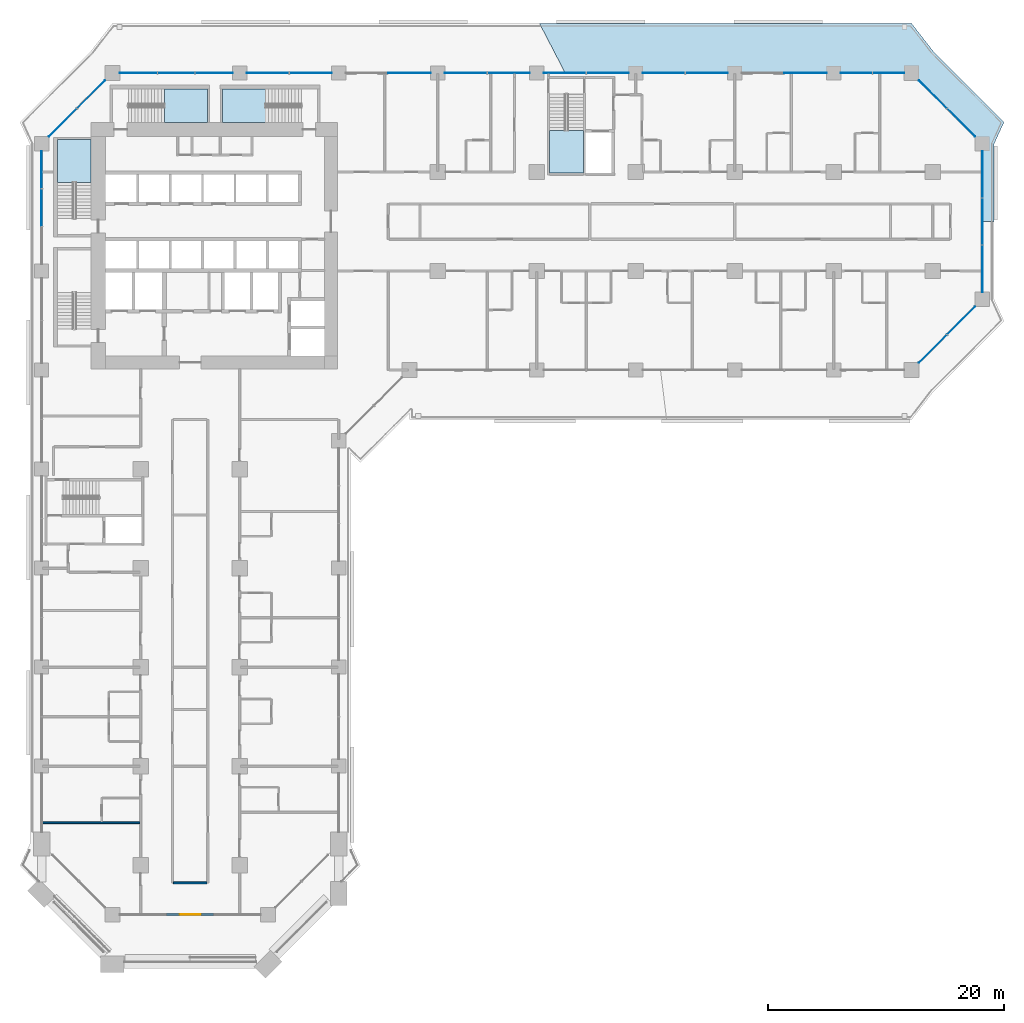
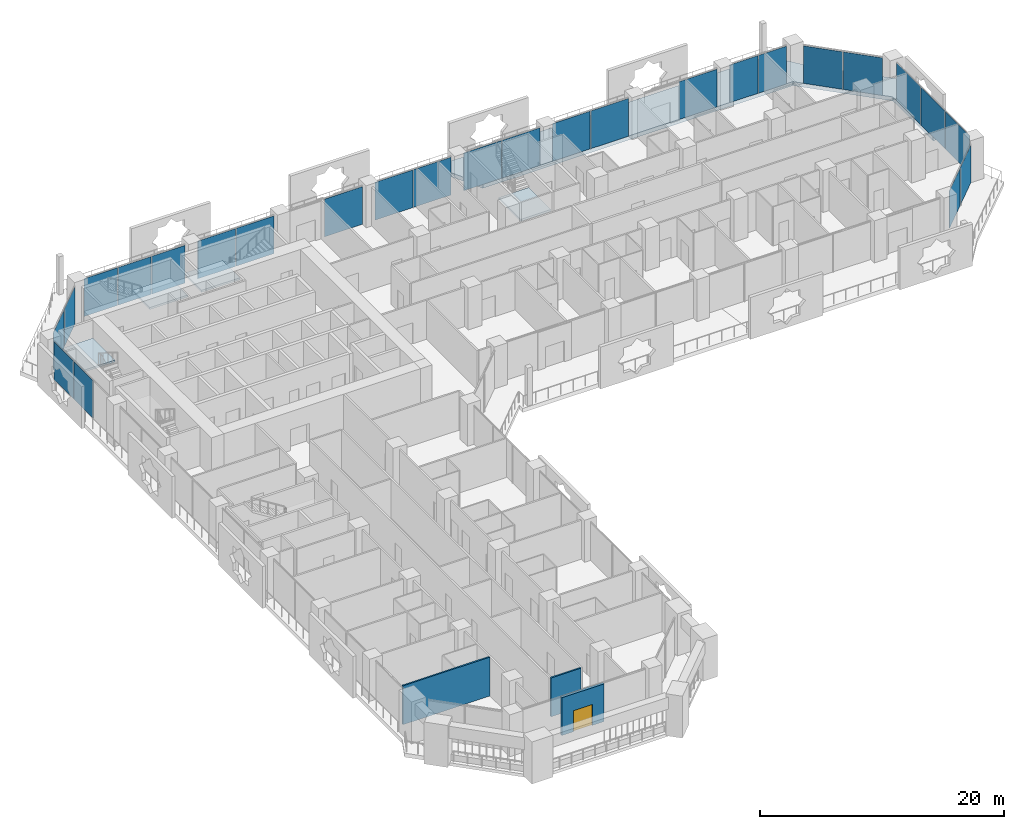
# One storey, part 12 of 26: 26 plates, 5 slabs, 3 walls, 1 door, 1 opening, 10 elements without a shape of their own.
"""IFC4 building model written with IfcOpenShell, lengths in metres."""

import ifcopenshell
import ifcopenshell.guid

model = None  # the IFC model being written
_history = None  # IfcOwnerHistory: only IFC2X3 demands one
_inside = {}  # id of a spatial element -> (the spatial element, [elements in it])
_under = {}  # id of a project, library or spatial element -> (it, [spatial elements below it])
_declared = {}  # id of a project -> (the project, [libraries it declares])
_typed = {}  # id of a type object -> (the type object, [elements of that type])
_made_of = {}  # id of a material, layer set ... -> (it, [elements and type objects made of it])


def new_model(schema):
    """Start an empty IFC model of exactly this schema.

    Asked for "IFC4X3", IfcOpenShell would pick the latest addendum, in which some entities
    have other attributes; the version numbers below select the first issue.
    IFC2X3 requires an IfcOwnerHistory on every rooted entity: one is made here for all.
    """
    global model, _history
    if schema == "IFC4X3":
        model = ifcopenshell.file(schema_version=(4, 3, 0, 0))
    else:
        model = ifcopenshell.file(schema=schema)
    _inside.clear()
    _under.clear()
    _declared.clear()
    _typed.clear()
    _made_of.clear()
    _history = None
    if model.schema == "IFC2X3":
        org = make("IfcOrganization", Name="unknown")
        user = make(
            "IfcPersonAndOrganization",
            ThePerson=make("IfcPerson", FamilyName="unknown"),
            TheOrganization=org,
        )
        app = make(
            "IfcApplication",
            ApplicationDeveloper=org,
            Version="unknown",
            ApplicationFullName="unknown",
            ApplicationIdentifier="unknown",
        )
        _history = make(
            "IfcOwnerHistory",
            OwningUser=user,
            OwningApplication=app,
            ChangeAction="ADDED",
            CreationDate=0,
        )
    return model


def make(cls, **values):
    """One entity of the class cls with the attributes given. An attribute that is None is left unset."""
    return model.create_entity(
        cls, **{name: value for name, value in values.items() if value is not None}
    )


def rooted(cls, **values):
    """An entity with a GlobalId (a new one), such as an element, a storey or a relation."""
    return make(cls, GlobalId=ifcopenshell.guid.new(), OwnerHistory=_history, **values)


def si_unit(unit_type, name, prefix=None):
    """IfcSIUnit, for example si_unit("LENGTHUNIT", "METRE", prefix="MILLI")."""
    return make("IfcSIUnit", UnitType=unit_type, Prefix=prefix, Name=name)


def assignment(units):
    """IfcUnitAssignment: the units of a project."""
    return None if units is None else make("IfcUnitAssignment", Units=units)


def point(xyz):
    """IfcCartesianPoint."""
    return None if xyz is None else make("IfcCartesianPoint", Coordinates=xyz)


def direction(xyz):
    """IfcDirection."""
    return None if xyz is None else make("IfcDirection", DirectionRatios=xyz)


def frame(location, z_axis=None, x_axis=None):
    """IfcAxis2Placement3D, a coordinate frame: its origin and axes. An axis left out is left unset."""
    return make(
        "IfcAxis2Placement3D",
        Location=point(location),
        Axis=direction(z_axis),
        RefDirection=direction(x_axis),
    )


def frame_2d(location, x_axis=None):
    """IfcAxis2Placement2D, a coordinate frame in the plane: its origin and x axis."""
    return make(
        "IfcAxis2Placement2D", Location=point(location), RefDirection=direction(x_axis)
    )


def origin():
    """The frame at (0, 0, 0) with its axes left unset."""
    return frame((0.0, 0.0, 0.0))


def origin_2d():
    """The frame at (0, 0) in the plane with its x axis left unset."""
    return frame_2d((0.0, 0.0))


def place(relative_to, where):
    """IfcLocalPlacement: puts the frame where relative to a parent placement (None: the world)."""
    return make(
        "IfcLocalPlacement", PlacementRelTo=relative_to, RelativePlacement=where
    )


def context(
    kind, dimensions, precision=None, world=None, true_north=None, identifier=None
):
    """IfcGeometricRepresentationContext, for example the 3D "Model" context."""
    return make(
        "IfcGeometricRepresentationContext",
        ContextIdentifier=identifier,
        ContextType=kind,
        CoordinateSpaceDimension=dimensions,
        Precision=precision,
        WorldCoordinateSystem=world,
        TrueNorth=true_north,
    )


def subcontext(parent, identifier, kind, view, scale=None):
    """IfcGeometricRepresentationSubContext, for example "Body" below "Model"."""
    return make(
        "IfcGeometricRepresentationSubContext",
        ContextIdentifier=identifier,
        ContextType=kind,
        ParentContext=parent,
        TargetScale=scale,
        TargetView=view,
    )


def project(units=None, contexts=None):
    """IfcProject with its units and contexts."""
    return rooted(
        "IfcProject",
        Name="project",
        RepresentationContexts=contexts,
        UnitsInContext=assignment(units),
    )


def spatial(cls, under=None, at=None, **own):
    """A site, building, storey or space (cls), placed at a placement, below another one or the project."""
    s = rooted(cls, ObjectPlacement=at, **own)
    if under is not None:
        _under.setdefault(under.id(), (under, []))[1].append(s)
    return s


def polyline(points):
    """IfcPolyline through the points."""
    return make("IfcPolyline", Points=[point(p) for p in points])


def profile(cls, at=None, kind="AREA", **sizes):
    """A parametric profile (cls). Its sizes go by their IFC names, for example OverallWidth=200.0."""
    return make(cls, ProfileType=kind, Position=at, **sizes)


def rectangle(**sizes):
    """IfcRectangleProfileDef."""
    return profile("IfcRectangleProfileDef", **sizes)


def outline(outer, holes=None, kind="AREA"):
    """IfcArbitraryClosedProfileDef: a profile drawn as a closed curve; with holes, ...WithVoids."""
    if holes is None:
        return make("IfcArbitraryClosedProfileDef", ProfileType=kind, OuterCurve=outer)
    return make(
        "IfcArbitraryProfileDefWithVoids",
        ProfileType=kind,
        OuterCurve=outer,
        InnerCurves=holes,
    )


def extrude(swept, where, along, depth):
    """IfcExtrudedAreaSolid: the profile swept, set in the frame where, extruded along a direction by depth."""
    return make(
        "IfcExtrudedAreaSolid",
        SweptArea=swept,
        Position=where,
        ExtrudedDirection=direction(along),
        Depth=depth,
    )


def shape(context_of_items, identifier, shape_type, items):
    """IfcShapeRepresentation: the items that make up one representation, for example the "Body"."""
    return make(
        "IfcShapeRepresentation",
        ContextOfItems=context_of_items,
        RepresentationIdentifier=identifier,
        RepresentationType=shape_type,
        Items=items,
    )


def material(Name=None, Category=None):
    """IfcMaterial."""
    return make("IfcMaterial", Name=Name, Category=Category)


def layer(
    of_material, thickness, ventilated=None, Name=None, Category=None, Priority=None
):
    """IfcMaterialLayer: one layer of a wall or slab, of a material (None: an air gap)."""
    return make(
        "IfcMaterialLayer",
        Material=of_material,
        LayerThickness=thickness,
        IsVentilated=ventilated,
        Name=Name,
        Category=Category,
        Priority=Priority,
    )


def layer_set(layers, Name=None):
    """IfcMaterialLayerSet."""
    return make("IfcMaterialLayerSet", MaterialLayers=layers, LayerSetName=Name)


def made_of(thing, what):
    """Note that an element or type object is made of a material, layer set ...; save() writes the relation."""
    if what is not None:
        _made_of.setdefault(what.id(), (what, []))[1].append(thing)
    return thing


def type_object(cls, material=None, **own):
    """A type object (cls), such as IfcWallType, which elements share."""
    return made_of(rooted(cls, **own), material)


def element(
    cls,
    number,
    at=None,
    inside=None,
    cuts=None,
    type_object=None,
    material=None,
    context=None,
    identifier="Body",
    shape_type=None,
    held_by="IfcProductDefinitionShape",
    body=None,
    shapes=None,
    **own,
):
    """One element of the class cls, such as IfcWall. Its Tag is "e" and its number.

    at: its placement. inside: the storey or other place that contains it. cuts: it is an
    opening in that element (IfcRelVoidsElement). A single representation is given by context,
    identifier, shape_type and body (its items); several are given by shapes. held_by: the class
    of the entity that holds the representations. save() writes the other relations.
    """
    e = rooted(cls, Tag="e%d" % number, ObjectPlacement=at, **own)
    if body is not None:
        shapes = [shape(context, identifier, shape_type, body)]
    if shapes is not None:
        e.Representation = make(held_by, Representations=shapes)
    if inside is not None:
        _inside.setdefault(inside.id(), (inside, []))[1].append(e)
    if cuts is not None:
        rooted(
            "IfcRelVoidsElement", RelatingBuildingElement=cuts, RelatedOpeningElement=e
        )
    if type_object is not None:
        _typed.setdefault(type_object.id(), (type_object, []))[1].append(e)
    return made_of(e, material)


def fill(opening, filler):
    """IfcRelFillsElement: the door or window that sits in an opening."""
    return rooted(
        "IfcRelFillsElement",
        RelatingOpeningElement=opening,
        RelatedBuildingElement=filler,
    )


def aggregate(whole, parts):
    """IfcRelAggregates: a whole, such as a stair, and the parts it consists of."""
    return rooted("IfcRelAggregates", RelatingObject=whole, RelatedObjects=parts)


def save(model, path):
    """Write the relations noted so far, then the file.

    IfcRelAggregates (storeys below a building ...), IfcRelContainedInSpatialStructure (elements
    in a storey), IfcRelDefinesByType, IfcRelAssociatesMaterial and IfcRelDeclares: one each for
    every whole, place, type object, material and project.
    """
    for whole, parts in _under.values():
        aggregate(whole, parts)
    for where, things in _inside.values():
        rooted(
            "IfcRelContainedInSpatialStructure",
            RelatedElements=things,
            RelatingStructure=where,
        )
    for kind, things in _typed.values():
        rooted("IfcRelDefinesByType", RelatedObjects=things, RelatingType=kind)
    for what, things in _made_of.values():
        rooted("IfcRelAssociatesMaterial", RelatedObjects=things, RelatingMaterial=what)
    for by, libraries in _declared.values():
        rooted("IfcRelDeclares", RelatingContext=by, RelatedDefinitions=libraries)
    model.write(path)


model = new_model("IFC4")

# Units and contexts
model_context = context("Model", 3, precision=1e-05, world=origin(), true_north=direction((0.0, 1.0)))
body_context = subcontext(model_context, "Body", "Model", "MODEL_VIEW")
ifc_project = project(units=[si_unit("LENGTHUNIT", "METRE"), si_unit("AREAUNIT", "SQUARE_METRE"), si_unit("VOLUMEUNIT", "CUBIC_METRE"), si_unit("PLANEANGLEUNIT", "RADIAN"), si_unit("MASSUNIT", "GRAM", prefix="KILO")], contexts=[model_context])

# Site, building, storey
site_placement = place(None, origin())
site = spatial("IfcSite", under=ifc_project, at=site_placement, CompositionType="ELEMENT")
building_placement = place(site_placement, origin())
building = spatial("IfcBuilding", under=site, at=building_placement, Name="Kawkab Arch Medical Tower", CompositionType="ELEMENT")
storey_placement = place(building_placement, frame((0.0, 0.0, 51.800048828125)))
storey = spatial("IfcBuildingStorey", under=building, at=storey_placement, Name="L11", CompositionType="ELEMENT", Elevation=51.800048828125)

# Curtain wall, plates
ifc_material_1 = material(Name="Bronze anodised aluminium curtain wall frame", Category="aluminium")
ifc_layer_1 = layer(ifc_material_1, 0.159912109375)
ifc_layer_set_1 = layer_set([ifc_layer_1], Name="Bronze anodised aluminium curtain wall frame")
curtain_wall_type_1 = type_object("IfcCurtainWallType", Name="CW1 ward curtain wall", PredefinedType="NOTDEFINED", material=ifc_layer_set_1)
placement_1 = place(storey_placement, origin())
curtain_wall_1 = element("IfcCurtainWall", 1, at=placement_1, inside=storey, type_object=curtain_wall_type_1, Name="CW1 Ward curtain wall R01", PredefinedType="NOTDEFINED")
ifc_material_2 = material(Name="Tinted insulating glass, bronze low-e coating", Category="glass")
ifc_layer_2 = layer(ifc_material_2, 0.031982421875)
ifc_layer_set_2 = layer_set([ifc_layer_2], Name="Tinted insulating glass, bronze low-e coating")
plate_type_1 = type_object("IfcPlateType", Name="CW1 glazing unit 32", PredefinedType="CURTAIN_PANEL", material=ifc_layer_set_2)
plate_1_placement = place(storey_placement, frame((0.0, -8.205810546875, 0.0), z_axis=(0.0, 0.0, 1.0), x_axis=(0.0, -1.0, 0.0)))
plate_1 = element("IfcPlate", 2, at=plate_1_placement, type_object=plate_type_1, Name="CW1 glazing unit 1.1", PredefinedType="CURTAIN_PANEL", context=body_context, shape_type="SweptSolid", body=[
    extrude(rectangle(XDim=3.16162109375, YDim=0.031982421875, at=origin_2d()), origin(), (0.0, 0.0, 1.0), 3.780029296875),
])
plate_2_placement = place(storey_placement, frame((0.0, -11.41259765625, 0.0), z_axis=(0.0, 0.0, 1.0), x_axis=(0.0, -1.0, 0.0)))
plate_2 = element("IfcPlate", 3, at=plate_2_placement, type_object=plate_type_1, Name="CW1 glazing unit 1.2", PredefinedType="CURTAIN_PANEL", context=body_context, shape_type="SweptSolid", body=[
    extrude(rectangle(XDim=3.131591796875, YDim=0.031982421875, at=origin_2d()), origin(), (0.0, 0.0, 1.0), 3.780029296875),
])
aggregate(curtain_wall_1, [plate_1, plate_2])

curtain_wall_2 = element("IfcCurtainWall", 4, at=placement_1, inside=storey, type_object=curtain_wall_type_1, Name="CW1 Ward curtain wall R09", PredefinedType="NOTDEFINED")
plate_3_placement = place(storey_placement, frame((79.800048828125, -16.598388671875, 0.0), z_axis=(0.0, 0.0, 1.0), x_axis=(0.0, 1.0, 0.0)))
plate_3 = element("IfcPlate", 5, at=plate_3_placement, type_object=plate_type_1, Name="CW1 glazing unit 1.1", PredefinedType="CURTAIN_PANEL", context=body_context, shape_type="SweptSolid", body=[
    extrude(rectangle(XDim=3.953369140625, YDim=0.031982421875, at=origin_2d()), origin(), (0.0, 0.0, 1.0), 3.780029296875),
])
plate_4_placement = place(storey_placement, frame((79.800048828125, -12.60009765625, 0.0), z_axis=(0.0, 0.0, 1.0), x_axis=(0.0, 1.0, 0.0)))
plate_4 = element("IfcPlate", 6, at=plate_4_placement, type_object=plate_type_1, Name="CW1 glazing unit 1.2", PredefinedType="CURTAIN_PANEL", context=body_context, shape_type="SweptSolid", body=[
    extrude(rectangle(XDim=3.92333984375, YDim=0.031982421875, at=origin_2d()), origin(), (0.0, 0.0, 1.0), 3.780029296875),
])
plate_5_placement = place(storey_placement, frame((79.800048828125, -8.6015625, 0.0), z_axis=(0.0, 0.0, 1.0), x_axis=(0.0, 1.0, 0.0)))
plate_5 = element("IfcPlate", 7, at=plate_5_placement, type_object=plate_type_1, Name="CW1 glazing unit 1.3", PredefinedType="CURTAIN_PANEL", context=body_context, shape_type="SweptSolid", body=[
    extrude(rectangle(XDim=3.953369140625, YDim=0.031982421875, at=origin_2d()), origin(), (0.0, 0.0, 1.0), 3.780029296875),
])
aggregate(curtain_wall_2, [plate_3, plate_4, plate_5])

curtain_wall_3 = element("IfcCurtainWall", 8, at=placement_1, inside=storey, type_object=curtain_wall_type_1, Name="CW1 Ward curtain wall R11", PredefinedType="NOTDEFINED")
plate_6_placement = place(storey_placement, frame((71.84619140625, 0.0, 0.0), z_axis=(0.0, 0.0, 1.0), x_axis=(-1.0, 0.0, 0.0)))
plate_6 = element("IfcPlate", 9, at=plate_6_placement, type_object=plate_type_1, Name="CW1 glazing unit 1.1", PredefinedType="CURTAIN_PANEL", context=body_context, shape_type="SweptSolid", body=[
    extrude(rectangle(XDim=2.657470703125, YDim=0.031982421875, at=origin_2d()), origin(), (0.0, 0.0, 1.0), 3.780029296875),
])
plate_7_placement = place(storey_placement, frame((69.128662109375, 0.0, 0.0), z_axis=(0.0, 0.0, 1.0), x_axis=(-1.0, 0.0, 0.0)))
plate_7 = element("IfcPlate", 10, at=plate_7_placement, type_object=plate_type_1, Name="CW1 glazing unit 1.2", PredefinedType="CURTAIN_PANEL", context=body_context, shape_type="SweptSolid", body=[
    extrude(rectangle(XDim=2.657470703125, YDim=0.031982421875, at=origin_2d()), origin(), (0.0, 0.0, 1.0), 3.780029296875),
])
plate_8_placement = place(storey_placement, frame((64.800048828125, 0.0, 0.0), z_axis=(0.0, 0.0, 1.0), x_axis=(-1.0, 0.0, 0.0)))
plate_8 = element("IfcPlate", 11, at=plate_8_placement, type_object=plate_type_1, Name="CW1 glazing unit 2.1", PredefinedType="CURTAIN_PANEL", context=body_context, shape_type="SweptSolid", body=[
    extrude(rectangle(XDim=3.60009765625, YDim=0.031982421875, at=origin_2d()), origin(), (0.0, 0.0, 1.0), 3.780029296875),
])
plate_9_placement = place(storey_placement, frame((56.4150390625, 0.0, 0.0), z_axis=(0.0, 0.0, 1.0), x_axis=(-1.0, 0.0, 0.0)))
plate_9 = element("IfcPlate", 12, at=plate_9_placement, type_object=plate_type_1, Name="CW1 glazing unit 3.1", PredefinedType="CURTAIN_PANEL", context=body_context, shape_type="SweptSolid", body=[
    extrude(rectangle(XDim=3.570068359375, YDim=0.031982421875, at=origin_2d()), origin(), (0.0, 0.0, 1.0), 3.780029296875),
])
plate_10_placement = place(storey_placement, frame((52.784912109375, 0.0, 0.0), z_axis=(0.0, 0.0, 1.0), x_axis=(-1.0, 0.0, 0.0)))
plate_10 = element("IfcPlate", 13, at=plate_10_placement, type_object=plate_type_1, Name="CW1 glazing unit 3.2", PredefinedType="CURTAIN_PANEL", context=body_context, shape_type="SweptSolid", body=[
    extrude(rectangle(XDim=3.570068359375, YDim=0.031982421875, at=origin_2d()), origin(), (0.0, 0.0, 1.0), 3.780029296875),
])
plate_11_placement = place(storey_placement, frame((48.014892578125, 0.0, 0.0), z_axis=(0.0, 0.0, 1.0), x_axis=(-1.0, 0.0, 0.0)))
plate_11 = element("IfcPlate", 14, at=plate_11_placement, type_object=plate_type_1, Name="CW1 glazing unit 4.1", PredefinedType="CURTAIN_PANEL", context=body_context, shape_type="SweptSolid", body=[
    extrude(rectangle(XDim=3.570068359375, YDim=0.031982421875, at=origin_2d()), origin(), (0.0, 0.0, 1.0), 3.780029296875),
])
plate_12_placement = place(storey_placement, frame((44.385009765625, 0.0, 0.0), z_axis=(0.0, 0.0, 1.0), x_axis=(-1.0, 0.0, 0.0)))
plate_12 = element("IfcPlate", 15, at=plate_12_placement, type_object=plate_type_1, Name="CW1 glazing unit 4.2", PredefinedType="CURTAIN_PANEL", context=body_context, shape_type="SweptSolid", body=[
    extrude(rectangle(XDim=3.570068359375, YDim=0.031982421875, at=origin_2d()), origin(), (0.0, 0.0, 1.0), 3.780029296875),
])
plate_13_placement = place(storey_placement, frame((39.614990234375, 0.0, 0.0), z_axis=(0.0, 0.0, 1.0), x_axis=(-1.0, 0.0, 0.0)))
plate_13 = element("IfcPlate", 16, at=plate_13_placement, type_object=plate_type_1, Name="CW1 glazing unit 5.1", PredefinedType="CURTAIN_PANEL", context=body_context, shape_type="SweptSolid", body=[
    extrude(rectangle(XDim=3.570068359375, YDim=0.031982421875, at=origin_2d()), origin(), (0.0, 0.0, 1.0), 3.780029296875),
])
plate_14_placement = place(storey_placement, frame((35.985107421875, 0.0, 0.0), z_axis=(0.0, 0.0, 1.0), x_axis=(-1.0, 0.0, 0.0)))
plate_14 = element("IfcPlate", 17, at=plate_14_placement, type_object=plate_type_1, Name="CW1 glazing unit 5.2", PredefinedType="CURTAIN_PANEL", context=body_context, shape_type="SweptSolid", body=[
    extrude(rectangle(XDim=3.570068359375, YDim=0.031982421875, at=origin_2d()), origin(), (0.0, 0.0, 1.0), 3.780029296875),
])
plate_15_placement = place(storey_placement, frame((31.199951171875, 0.0, 0.0), z_axis=(0.0, 0.0, 1.0), x_axis=(-1.0, 0.0, 0.0)))
plate_15 = element("IfcPlate", 18, at=plate_15_placement, type_object=plate_type_1, Name="CW1 glazing unit 6.1", PredefinedType="CURTAIN_PANEL", context=body_context, shape_type="SweptSolid", body=[
    extrude(rectangle(XDim=3.60009765625, YDim=0.031982421875, at=origin_2d()), origin(), (0.0, 0.0, 1.0), 3.780029296875),
])
plate_16_placement = place(storey_placement, frame((22.81494140625, 0.0, 0.0), z_axis=(0.0, 0.0, 1.0), x_axis=(-1.0, 0.0, 0.0)))
plate_16 = element("IfcPlate", 19, at=plate_16_placement, type_object=plate_type_1, Name="CW1 glazing unit 7.1", PredefinedType="CURTAIN_PANEL", context=body_context, shape_type="SweptSolid", body=[
    extrude(rectangle(XDim=3.570068359375, YDim=0.031982421875, at=origin_2d()), origin(), (0.0, 0.0, 1.0), 3.780029296875),
])
plate_17_placement = place(storey_placement, frame((19.18505859375, 0.0, 0.0), z_axis=(0.0, 0.0, 1.0), x_axis=(-1.0, 0.0, 0.0)))
plate_17 = element("IfcPlate", 20, at=plate_17_placement, type_object=plate_type_1, Name="CW1 glazing unit 7.2", PredefinedType="CURTAIN_PANEL", context=body_context, shape_type="SweptSolid", body=[
    extrude(rectangle(XDim=3.570068359375, YDim=0.031982421875, at=origin_2d()), origin(), (0.0, 0.0, 1.0), 3.780029296875),
])
plate_18_placement = place(storey_placement, frame((14.619140625, 0.0, 0.0), z_axis=(0.0, 0.0, 1.0), x_axis=(-1.0, 0.0, 0.0)))
plate_18 = element("IfcPlate", 21, at=plate_18_placement, type_object=plate_type_1, Name="CW1 glazing unit 8.1", PredefinedType="CURTAIN_PANEL", context=body_context, shape_type="SweptSolid", body=[
    extrude(rectangle(XDim=3.16162109375, YDim=0.031982421875, at=origin_2d()), origin(), (0.0, 0.0, 1.0), 3.780029296875),
])
plate_19_placement = place(storey_placement, frame((11.41259765625, 0.0, 0.0), z_axis=(0.0, 0.0, 1.0), x_axis=(-1.0, 0.0, 0.0)))
plate_19 = element("IfcPlate", 22, at=plate_19_placement, type_object=plate_type_1, Name="CW1 glazing unit 8.2", PredefinedType="CURTAIN_PANEL", context=body_context, shape_type="SweptSolid", body=[
    extrude(rectangle(XDim=3.131591796875, YDim=0.031982421875, at=origin_2d()), origin(), (0.0, 0.0, 1.0), 3.780029296875),
])
plate_20_placement = place(storey_placement, frame((8.205810546875, 0.0, 0.0), z_axis=(0.0, 0.0, 1.0), x_axis=(-1.0, 0.0, 0.0)))
plate_20 = element("IfcPlate", 23, at=plate_20_placement, type_object=plate_type_1, Name="CW1 glazing unit 8.3", PredefinedType="CURTAIN_PANEL", context=body_context, shape_type="SweptSolid", body=[
    extrude(rectangle(XDim=3.16162109375, YDim=0.031982421875, at=origin_2d()), origin(), (0.0, 0.0, 1.0), 3.780029296875),
])
aggregate(curtain_wall_3, [plate_6, plate_7, plate_8, plate_9, plate_10, plate_11, plate_12, plate_13, plate_14, plate_15, plate_16, plate_17, plate_18, plate_19, plate_20])

ifc_material_3 = material(Name="Bronze anodised aluminium curtain wall frame", Category="aluminium")
ifc_layer_3 = layer(ifc_material_3, 0.159912109375)
ifc_layer_set_3 = layer_set([ifc_layer_3], Name="Bronze anodised aluminium curtain wall frame")
curtain_wall_type_2 = type_object("IfcCurtainWallType", Name="CW2 chamfer curtain wall", PredefinedType="NOTDEFINED", material=ifc_layer_set_3)
curtain_wall_4 = element("IfcCurtainWall", 24, at=placement_1, inside=storey, type_object=curtain_wall_type_2, Name="CW2 Chamfer curtain wall R08", PredefinedType="NOTDEFINED")
ifc_material_4 = material(Name="Tinted insulating glass, bronze low-e coating", Category="glass")
ifc_layer_4 = layer(ifc_material_4, 0.031982421875)
ifc_layer_set_4 = layer_set([ifc_layer_4], Name="Tinted insulating glass, bronze low-e coating")
plate_type_2 = type_object("IfcPlateType", Name="CW2 glazing unit 32", PredefinedType="CURTAIN_PANEL", material=ifc_layer_set_4)
plate_21_placement = place(storey_placement, frame((75.601806640625, -23.398193359375, 0.0), z_axis=(0.0, 0.0, 1.0), x_axis=(0.707106781187, 0.707106781187, 0.0)))
plate_21 = element("IfcPlate", 25, at=plate_21_placement, type_object=plate_type_2, Name="CW2 glazing unit 1.1", PredefinedType="CURTAIN_PANEL", context=body_context, shape_type="SweptSolid", body=[
    extrude(rectangle(XDim=3.328857421875, YDim=0.031982421875, at=origin_2d()), origin(), (0.0, 0.0, 1.0), 3.760009765625),
])
plate_22_placement = place(storey_placement, frame((77.998046875, -21.001953125, 0.0), z_axis=(0.0, 0.0, 1.0), x_axis=(0.707106781187, 0.707106781187, 0.0)))
plate_22 = element("IfcPlate", 26, at=plate_22_placement, type_object=plate_type_2, Name="CW2 glazing unit 1.2", PredefinedType="CURTAIN_PANEL", context=body_context, shape_type="SweptSolid", body=[
    extrude(rectangle(XDim=3.328857421875, YDim=0.031982421875, at=origin_2d()), origin(), (0.0, 0.0, 1.0), 3.760009765625),
])
aggregate(curtain_wall_4, [plate_21, plate_22])

curtain_wall_5 = element("IfcCurtainWall", 27, at=placement_1, inside=storey, type_object=curtain_wall_type_2, Name="CW2 Chamfer curtain wall R10", PredefinedType="NOTDEFINED")
plate_23_placement = place(storey_placement, frame((77.998046875, -4.197998046875, 0.0), z_axis=(0.0, 0.0, 1.0), x_axis=(-0.707106781187, 0.707106781187, 0.0)))
plate_23 = element("IfcPlate", 28, at=plate_23_placement, type_object=plate_type_2, Name="CW2 glazing unit 1.1", PredefinedType="CURTAIN_PANEL", context=body_context, shape_type="SweptSolid", body=[
    extrude(rectangle(XDim=3.328857421875, YDim=0.031982421875, at=origin_2d()), origin(), (0.0, 0.0, 1.0), 3.760009765625),
])
plate_24_placement = place(storey_placement, frame((75.601806640625, -1.802001953125, 0.0), z_axis=(0.0, 0.0, 1.0), x_axis=(-0.707106781187, 0.707106781187, 0.0)))
plate_24 = element("IfcPlate", 29, at=plate_24_placement, type_object=plate_type_2, Name="CW2 glazing unit 1.2", PredefinedType="CURTAIN_PANEL", context=body_context, shape_type="SweptSolid", body=[
    extrude(rectangle(XDim=3.328857421875, YDim=0.031982421875, at=origin_2d()), origin(), (0.0, 0.0, 1.0), 3.760009765625),
])
aggregate(curtain_wall_5, [plate_23, plate_24])

curtain_wall_6 = element("IfcCurtainWall", 30, at=placement_1, inside=storey, type_object=curtain_wall_type_2, Name="CW2 Chamfer curtain wall R12", PredefinedType="NOTDEFINED")
plate_25_placement = place(storey_placement, frame((4.197998046875, -1.802001953125, 0.0), z_axis=(0.0, 0.0, 1.0), x_axis=(-0.707106781187, -0.707106781187, 0.0)))
plate_25 = element("IfcPlate", 31, at=plate_25_placement, type_object=plate_type_2, Name="CW2 glazing unit 1.1", PredefinedType="CURTAIN_PANEL", context=body_context, shape_type="SweptSolid", body=[
    extrude(rectangle(XDim=3.328857421875, YDim=0.031982421875, at=origin_2d()), origin(), (0.0, 0.0, 1.0), 3.760009765625),
])
plate_26_placement = place(storey_placement, frame((1.802001953125, -4.197998046875, 0.0), z_axis=(0.0, 0.0, 1.0), x_axis=(-0.707106781187, -0.707106781187, 0.0)))
plate_26 = element("IfcPlate", 32, at=plate_26_placement, type_object=plate_type_2, Name="CW2 glazing unit 1.2", PredefinedType="CURTAIN_PANEL", context=body_context, shape_type="SweptSolid", body=[
    extrude(rectangle(XDim=3.328857421875, YDim=0.031982421875, at=origin_2d()), origin(), (0.0, 0.0, 1.0), 3.760009765625),
])
aggregate(curtain_wall_6, [plate_25, plate_26])

# Stair, slab
ifc_material_5 = material(Name="Concrete C40/50", Category="concrete")
stair_type = type_object("IfcStairType", Name="Exit stair 1350", PredefinedType="HALF_TURN_STAIR", material=ifc_material_5)
stair_1 = element("IfcStair", 33, at=placement_1, inside=storey, type_object=stair_type, Name="L11 Exit stair ST1", PredefinedType="HALF_TURN_STAIR")
ifc_material_6 = material(Name="Concrete C40/50", Category="concrete")
ifc_layer_5 = layer(ifc_material_6, 0.199951171875)
ifc_layer_set_5 = layer_set([ifc_layer_5], Name="Concrete C40/50")
slab_type_1 = type_object("IfcSlabType", Name="Exit stair landing 200", PredefinedType="LANDING", material=ifc_layer_set_5)
placement_2 = place(storey_placement, frame((0.0, 0.0, 1.89990234375)))
slab_1 = element("IfcSlab", 34, at=placement_2, type_object=slab_type_1, Name="ST1 landing 1", PredefinedType="LANDING", context=body_context, shape_type="SweptSolid", body=[
    extrude(outline(polyline([(4.199951171875, -9.27001953125), (4.199951171875, -5.64990234375), (1.35009765625, -5.64990234375), (1.35009765625, -9.27001953125), (4.199951171875, -9.27001953125)])), origin(), (0.0, 0.0, 1.0), 0.199951171875),
])
aggregate(stair_1, [slab_1])

stair_2 = element("IfcStair", 35, at=placement_1, inside=storey, type_object=stair_type, Name="L11 Exit stair ST3", PredefinedType="HALF_TURN_STAIR")
slab_2 = element("IfcSlab", 36, at=placement_2, type_object=slab_type_1, Name="ST3 landing 1", PredefinedType="LANDING", context=body_context, shape_type="SweptSolid", body=[
    extrude(outline(polyline([(10.429931640625, -4.199951171875), (14.050048828125, -4.199951171875), (14.050048828125, -1.35009765625), (10.429931640625, -1.35009765625), (10.429931640625, -4.199951171875)])), origin(), (0.0, 0.0, 1.0), 0.199951171875),
])
aggregate(stair_2, [slab_2])

stair_3 = element("IfcStair", 37, at=placement_1, inside=storey, type_object=stair_type, Name="L11 Exit stair ST4", PredefinedType="HALF_TURN_STAIR")
slab_3 = element("IfcSlab", 38, at=placement_2, type_object=slab_type_1, Name="ST4 landing 1", PredefinedType="LANDING", context=body_context, shape_type="SweptSolid", body=[
    extrude(outline(polyline([(18.969970703125, -1.35009765625), (15.35009765625, -1.35009765625), (15.35009765625, -4.199951171875), (18.969970703125, -4.199951171875), (18.969970703125, -1.35009765625)])), origin(), (0.0, 0.0, 1.0), 0.199951171875),
])
aggregate(stair_3, [slab_3])

stair_4 = element("IfcStair", 39, at=placement_1, inside=storey, type_object=stair_type, Name="L11 Exit stair ST5", PredefinedType="HALF_TURN_STAIR")
slab_4 = element("IfcSlab", 40, at=placement_2, type_object=slab_type_1, Name="ST5 landing 1", PredefinedType="LANDING", context=body_context, shape_type="SweptSolid", body=[
    extrude(outline(polyline([(43.10009765625, -4.8798828125), (43.10009765625, -8.5), (45.949951171875, -8.5), (45.949951171875, -4.8798828125), (43.10009765625, -4.8798828125)])), origin(), (0.0, 0.0, 1.0), 0.199951171875),
])
aggregate(stair_4, [slab_4])

# Slab
ifc_material_7 = material(Name="Concrete C40/50", Category="concrete")
ifc_layer_6 = layer(ifc_material_7, 0.39990234375)
ifc_layer_set_6 = layer_set([ifc_layer_6], Name="Concrete C40/50")
slab_type_2 = type_object("IfcSlabType", Name="Loggia slab 400", PredefinedType="FLOOR", material=ifc_layer_set_6)
slab_5_placement = place(storey_placement, frame((0.0, 0.0, -0.400146484375)))
element("IfcSlab", 41, at=slab_5_placement, inside=storey, type_object=slab_type_2, Name="Loggia slab L11.4", PredefinedType="FLOOR", context=body_context, shape_type="SweptSolid", body=[
    extrude(outline(polyline([(73.800048828125, 0.0), (73.800048828125, 0.0009765625), (44.410888671875, 0.0009765625), (42.23388671875, 4.199951171875), (73.800048828125, 4.199951171875), (75.637939453125, 1.837890625), (81.637939453125, -4.162109375), (80.800048828125, -6.0), (80.800048828125, -12.60009765625), (79.800048828125, -12.60009765625), (79.800048828125, -6.0), (73.800048828125, 0.0)])), origin(), (0.0, 0.0, 1.0), 0.400146484375),
])

# Wall, opening, door
ifc_material_8 = material(Name="Bronze clad insulated wall panel")
ifc_layer_7 = layer(ifc_material_8, 0.25)
ifc_layer_set_7 = layer_set([ifc_layer_7], Name="Bronze clad insulated wall panel")
wall_type_1 = type_object("IfcWallType", Name="External wall bay 250", PredefinedType="SOLIDWALL", material=ifc_layer_set_7)
wall_1_placement = place(storey_placement, frame((10.6083984375, -71.39990234375, 0.0), z_axis=(0.0, 0.0, 1.0), x_axis=(1.0, 0.0, 0.0)))
wall_1 = element("IfcWall", 42, at=wall_1_placement, inside=storey, type_object=wall_type_1, Name="External wall bay L11.R03.1.2", PredefinedType="SOLIDWALL", context=body_context, shape_type="SweptSolid", body=[
    extrude(rectangle(XDim=3.983154296875, YDim=0.25, at=frame_2d((1.99169921875, 0.0))), origin(), (0.0, 0.0, 1.0), 3.780029296875),
])
opening_placement = place(wall_1_placement, frame((1.091796875, 0.0, 0.0)))
opening = element("IfcOpeningElement", 43, at=opening_placement, cuts=wall_1, Name="Opening W11-701", PredefinedType="OPENING", context=body_context, shape_type="SweptSolid", body=[
    extrude(rectangle(XDim=1.800048828125, YDim=2.10009765625, at=frame_2d((0.89990234375, 1.050048828125))), frame((0.0, 0.135009765625, 0.0), z_axis=(0.0, -1.0, 0.0), x_axis=(1.0, 0.0, 0.0)), (0.0, 0.0, 1.0), 0.27001953125),
])
ifc_material_9 = material(Name="Bronze anodised aluminium door with tinted glass", Category="aluminium")
door_type = type_object("IfcDoorType", Name="Double external door 1800 x 2100", OperationType="DOUBLE_DOOR_SINGLE_SWING", PredefinedType="DOOR", material=ifc_material_9)
door_placement = place(opening_placement, origin())
door = element("IfcDoor", 44, at=door_placement, inside=storey, type_object=door_type, Name="External door L11.R03.1.2", OperationType="DOUBLE_DOOR_SINGLE_SWING", OverallHeight=2.10009765625, OverallWidth=1.800048828125, PredefinedType="DOOR", context=body_context, shape_type="SweptSolid", body=[
    extrude(rectangle(XDim=1.800048828125, YDim=2.10009765625, at=frame_2d((0.89990234375, 1.050048828125))), frame((0.0, 0.02490234375, 0.0), z_axis=(0.0, -1.0, 0.0), x_axis=(1.0, 0.0, 0.0)), (0.0, 0.0, 1.0), 0.050048828125),
])
fill(opening, door)

# Walls
ifc_material_10 = material(Name="Gypsum board partition on steel studs, mineral wool", Category="steel")
ifc_layer_8 = layer(ifc_material_10, 0.14990234375)
ifc_layer_set_8 = layer_set([ifc_layer_8], Name="Gypsum board partition on steel studs, mineral wool")
wall_type_2 = type_object("IfcWallType", Name="Partition 150", PredefinedType="PARTITIONING", material=ifc_layer_set_8)
wall_2_placement = place(storey_placement, frame((11.175048828125, -68.699951171875, 0.0), z_axis=(0.0, 0.0, 1.0), x_axis=(1.0, 0.0, 0.0)))
element("IfcWall", 45, at=wall_2_placement, inside=storey, type_object=wall_type_2, Name="Partition 150 w039", PredefinedType="PARTITIONING", context=body_context, shape_type="SweptSolid", body=[
    extrude(rectangle(XDim=2.849853515625, YDim=0.14990234375, at=frame_2d((1.4248046875, 0.0))), origin(), (0.0, 0.0, 1.0), 3.89990234375),
])
wall_3_placement = place(storey_placement, frame((0.080078125, -63.60009765625, 0.0), z_axis=(0.0, 0.0, 1.0), x_axis=(1.0, 0.0, 0.0)))
element("IfcWall", 46, at=wall_3_placement, inside=storey, type_object=wall_type_2, Name="Partition 150 w040", PredefinedType="PARTITIONING", context=body_context, shape_type="SweptSolid", body=[
    extrude(rectangle(XDim=8.244873046875, YDim=0.14990234375, at=frame_2d((4.12255859375, 0.0))), origin(), (0.0, 0.0, 1.0), 3.89990234375),
])

save(model, "model.ifc")
